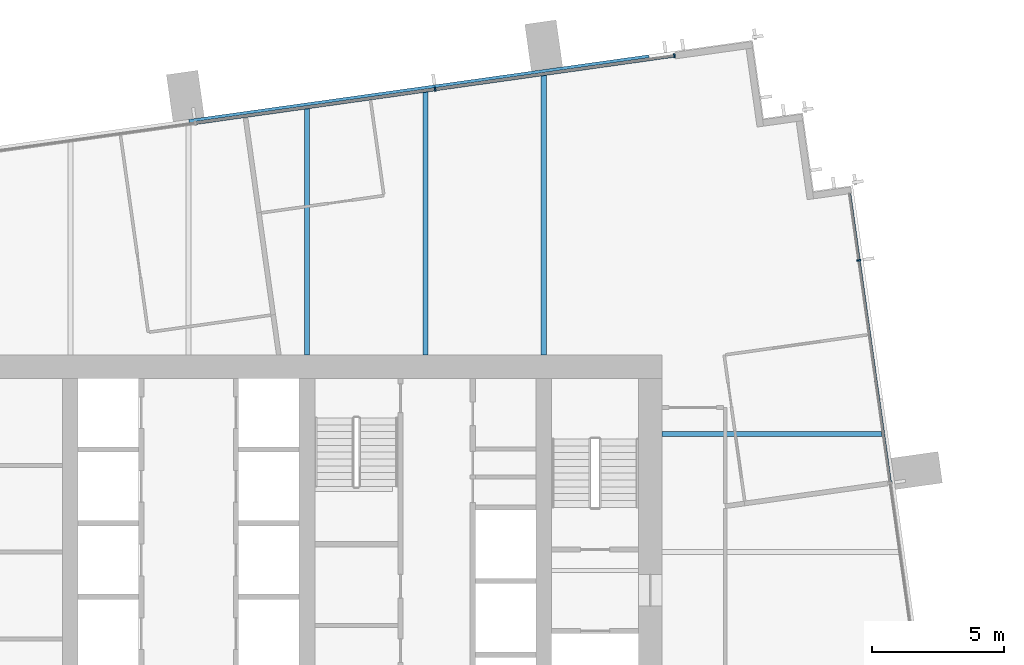
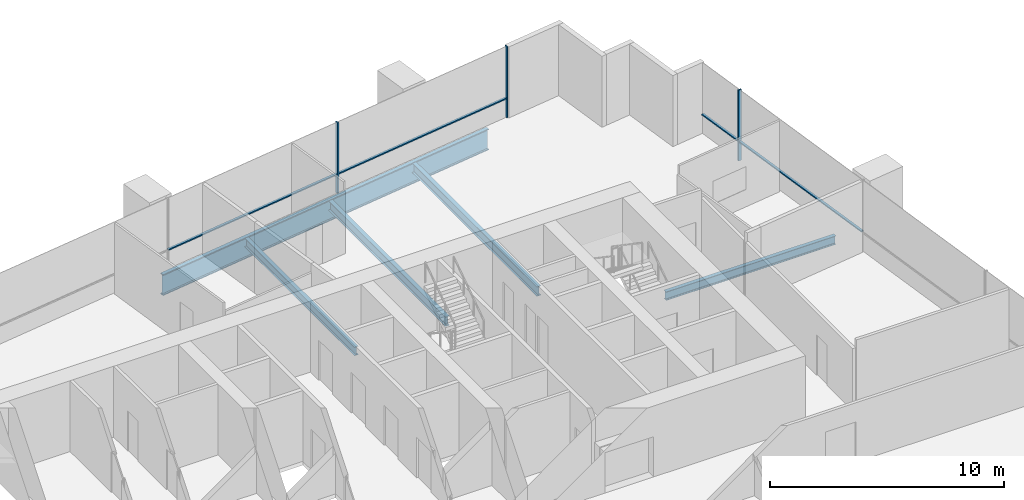
# One storey, part 7 of 14: 7 members, 5 beams, 2 elements without a shape of their own.
"""IFC4 building model written with IfcOpenShell, lengths in metres."""

from ifc_helpers import new_model, si_unit, direction, frame, origin, origin_2d, place, context, subcontext, project, spatial, rectangle, i_section, extrude, material, material_profile, profile_set, type_object, element, aggregate, save


model = new_model("IFC4")

# Units and contexts
model_context = context("Model", 3, precision=1e-05, world=origin(), true_north=direction((0.0, 1.0)))
body_context = subcontext(model_context, "Body", "Model", "MODEL_VIEW")
ifc_project = project(units=[si_unit("LENGTHUNIT", "METRE"), si_unit("AREAUNIT", "SQUARE_METRE"), si_unit("VOLUMEUNIT", "CUBIC_METRE"), si_unit("PLANEANGLEUNIT", "RADIAN"), si_unit("MASSUNIT", "GRAM", prefix="KILO")], contexts=[model_context])

# Site, building, storey
site_placement = place(None, origin())
site = spatial("IfcSite", under=ifc_project, at=site_placement, CompositionType="ELEMENT")
building_placement = place(site_placement, origin())
building = spatial("IfcBuilding", under=site, at=building_placement, Name="Rattan Terrace Tower", CompositionType="ELEMENT")
storey_placement = place(building_placement, frame((0.0, 0.0, 195.800048828125)))
storey = spatial("IfcBuildingStorey", under=building, at=storey_placement, Name="L45", CompositionType="ELEMENT", Elevation=195.800048828125)

# Curtain wall, member
ifc_material_1 = material(Name="Aluminium and glass", Category="aluminium")
curtain_wall_type = type_object("IfcCurtainWallType", Name="Facade Unitised Curtain Wall", PredefinedType="NOTDEFINED", material=ifc_material_1)
curtain_wall_1_placement = place(storey_placement, origin())
curtain_wall_1 = element("IfcCurtainWall", 1, at=curtain_wall_1_placement, inside=storey, type_object=curtain_wall_type, Name="Curtain wall L45-1", PredefinedType="NOTDEFINED")
ifc_material_2 = material(Name="Aluminium", Category="aluminium")
ifc_material_profile_1 = material_profile(ifc_material_2, rectangle(XDim=0.06005859375, YDim=0.159912109375, at=origin_2d()), Name="Aluminium 60x160")
ifc_profile_set_1 = profile_set([ifc_material_profile_1], Name="Aluminium")
member_type_1 = type_object("IfcMemberType", Name="Facade CW Mullion 60x160", PredefinedType="MULLION", material=ifc_profile_set_1)
member_1_placement = place(storey_placement, frame((25.477294921875, 11.092529296875, 0.0), z_axis=(0.0, 0.0, 1.0), x_axis=(-0.139190856006, 0.99026557327, 0.0)))
member_1 = element("IfcMember", 2, at=member_1_placement, type_object=member_type_1, Name="Mullion cwl-L45-001.4", PredefinedType="MULLION", context=body_context, shape_type="SweptSolid", body=[
    extrude(rectangle(XDim=0.06005859375, YDim=0.159912109375, at=origin_2d()), origin(), (0.0, 0.0, 1.0), 3.699951171875),
])

# Curtain wall, members
curtain_wall_2_placement = place(storey_placement, origin())
curtain_wall_2 = element("IfcCurtainWall", 3, at=curtain_wall_2_placement, inside=storey, type_object=curtain_wall_type, Name="Curtain wall L45-2", PredefinedType="NOTDEFINED")
member_2_placement = place(storey_placement, frame((18.467041015625, 18.87255859375, 0.0), z_axis=(0.0, 0.0, 1.0), x_axis=(-0.990269702686, -0.139161474347, 0.0)))
member_2 = element("IfcMember", 4, at=member_2_placement, type_object=member_type_1, Name="Mullion cwl-L45-002.1", PredefinedType="MULLION", context=body_context, shape_type="SweptSolid", body=[
    extrude(rectangle(XDim=0.06005859375, YDim=0.159912109375, at=origin_2d()), origin(), (0.0, 0.0, 1.0), 3.699951171875),
])
member_3_placement = place(storey_placement, frame((9.373291015625, 17.594482421875, 0.0), z_axis=(0.0, 0.0, 1.0), x_axis=(-0.990269702686, -0.139161474347, 0.0)))
member_3 = element("IfcMember", 5, at=member_3_placement, type_object=member_type_1, Name="Mullion cwl-L45-002.2", PredefinedType="MULLION", context=body_context, shape_type="SweptSolid", body=[
    extrude(rectangle(XDim=0.06005859375, YDim=0.159912109375, at=origin_2d()), origin(), (0.0, 0.0, 1.0), 3.699951171875),
])

# Member
ifc_material_3 = material(Name="Aluminium", Category="aluminium")
ifc_material_profile_2 = material_profile(ifc_material_3, rectangle(XDim=0.1201171875, YDim=0.06005859375, at=origin_2d()), Name="Aluminium 120x60")
ifc_profile_set_2 = profile_set([ifc_material_profile_2], Name="Aluminium")
member_type_2 = type_object("IfcMemberType", Name="Facade CW Transom 120x60", PredefinedType="USERDEFINED", material=ifc_profile_set_2)
member_4_placement = place(storey_placement, frame((26.663330078125, 2.655517578125, 1.0), z_axis=(-0.139178607515, 0.99026729483, 0.0), x_axis=(-0.99026729483, -0.139178607515, 0.0)))
member_4 = element("IfcMember", 6, at=member_4_placement, type_object=member_type_2, Name="Transom cwl-L45-001.3", ObjectType="TRANSOM", PredefinedType="USERDEFINED", context=body_context, shape_type="SweptSolid", body=[
    extrude(rectangle(XDim=0.1201171875, YDim=0.06005859375, at=origin_2d()), origin(), (0.0, 0.0, 1.0), 8.489990234375),
])

member_5_placement = place(storey_placement, frame((25.47314453125, 11.122314453125, 1.0), z_axis=(-0.139106713562, 0.990277396613, 0.0), x_axis=(-0.990277396613, -0.139106713562, 0.0)))
member_5 = element("IfcMember", 7, at=member_5_placement, type_object=member_type_2, Name="Transom cwl-L45-001.4", ObjectType="TRANSOM", PredefinedType="USERDEFINED", context=body_context, shape_type="SweptSolid", body=[
    extrude(rectangle(XDim=0.1201171875, YDim=0.06005859375, at=origin_2d()), origin(), (0.0, 0.0, 1.0), 2.525634765625),
])

aggregate(curtain_wall_1, [member_1, member_4, member_5])

member_6_placement = place(storey_placement, frame((18.437255859375, 18.868408203125, 1.0), z_axis=(-0.990266494002, -0.139184305354, 0.0), x_axis=(0.139184305354, -0.990266494002, 0.0)))
member_6 = element("IfcMember", 8, at=member_6_placement, type_object=member_type_2, Name="Transom cwl-L45-002.1", ObjectType="TRANSOM", PredefinedType="USERDEFINED", context=body_context, shape_type="SweptSolid", body=[
    extrude(rectangle(XDim=0.1201171875, YDim=0.06005859375, at=origin_2d()), origin(), (0.0, 0.0, 1.0), 9.123046875),
])

member_7_placement = place(storey_placement, frame((9.343505859375, 17.59033203125, 1.0), z_axis=(-0.990270711765, -0.139154293575, 0.0), x_axis=(0.139154293575, -0.990270711765, 0.0)))
member_7 = element("IfcMember", 9, at=member_7_placement, type_object=member_type_2, Name="Transom cwl-L45-002.2", ObjectType="TRANSOM", PredefinedType="USERDEFINED", context=body_context, shape_type="SweptSolid", body=[
    extrude(rectangle(XDim=0.1201171875, YDim=0.06005859375, at=origin_2d()), origin(), (0.0, 0.0, 1.0), 9.153076171875),
])

aggregate(curtain_wall_2, [member_2, member_3, member_6, member_7])

# Beams
ifc_material_4 = material(Name="Steel S460", Category="steel")
ifc_material_profile_3 = material_profile(ifc_material_4, i_section(OverallWidth=0.179931640625, OverallDepth=1.10009765625, WebThickness=0.01611328125, FlangeThickness=0.050048828125, at=origin_2d()), Name="PG 1100x180-16-50")
ifc_profile_set_3 = profile_set([ifc_material_profile_3], Name="Steel S460")
beam_type_1 = type_object("IfcBeamType", Name="Frame edge girder PG 1100x180-16-50", PredefinedType="SPANDREL", material=ifc_profile_set_3)
beam_1_placement = place(storey_placement, frame((17.4990234375, 18.818115234375, -0.75), z_axis=(-0.990264173921, -0.139200811234, 0.0), x_axis=(0.139200811234, -0.990264173921, 0.0)))
element("IfcBeam", 10, at=beam_1_placement, inside=storey, type_object=beam_type_1, Name="gdr-L45-007", PredefinedType="SPANDREL", context=body_context, shape_type="SweptSolid", body=[
    extrude(i_section(OverallWidth=0.179931640625, OverallDepth=1.10009765625, WebThickness=0.01611328125, FlangeThickness=0.050048828125, at=origin_2d()), origin(), (0.0, 0.0, 1.0), 17.657958984375),
])
ifc_material_5 = material(Name="Steel S355", Category="steel")
ifc_material_profile_4 = material_profile(ifc_material_5, i_section(OverallWidth=0.18994140625, OverallDepth=0.449951171875, WebThickness=0.009521484375, FlangeThickness=0.0146484375, FilletRadius=0.02099609375, at=origin_2d()), Name="IPE 450")
ifc_profile_set_4 = profile_set([ifc_material_profile_4], Name="Steel S355")
beam_type_2 = type_object("IfcBeamType", Name="Frame floor beam IPE 450", PredefinedType="JOIST", material=ifc_profile_set_4)
beam_2_placement = place(storey_placement, frame((18.0, 4.5, -0.425048828125), z_axis=(1.0, 0.0, 0.0), x_axis=(0.0, 1.0, 0.0)))
element("IfcBeam", 11, at=beam_2_placement, inside=storey, type_object=beam_type_2, Name="bm-L45-015", PredefinedType="JOIST", context=body_context, shape_type="SweptSolid", body=[
    extrude(i_section(OverallWidth=0.18994140625, OverallDepth=0.449951171875, WebThickness=0.009521484375, FlangeThickness=0.0146484375, FilletRadius=0.02099609375, at=origin_2d()), origin(), (0.0, 0.0, 1.0), 8.381103515625),
])
beam_3_placement = place(storey_placement, frame((4.5, 7.5, -0.425048828125), z_axis=(0.0, 1.0, 0.0), x_axis=(-1.0, 0.0, 0.0)))
element("IfcBeam", 12, at=beam_3_placement, inside=storey, type_object=beam_type_2, Name="bm-L45-020", PredefinedType="JOIST", context=body_context, shape_type="SweptSolid", body=[
    extrude(i_section(OverallWidth=0.18994140625, OverallDepth=0.449951171875, WebThickness=0.009521484375, FlangeThickness=0.0146484375, FilletRadius=0.02099609375, at=origin_2d()), origin(), (0.0, 0.0, 1.0), 9.385986328125),
])
ifc_material_6 = material(Name="Steel S355", Category="steel")
ifc_material_profile_5 = material_profile(ifc_material_6, i_section(OverallWidth=0.199951171875, OverallDepth=0.5, WebThickness=0.01025390625, FlangeThickness=0.01611328125, FilletRadius=0.02099609375, at=origin_2d()), Name="IPE 500")
ifc_profile_set_5 = profile_set([ifc_material_profile_5], Name="Steel S355")
beam_type_3 = type_object("IfcBeamType", Name="Frame floor beam IPE 500", PredefinedType="JOIST", material=ifc_profile_set_5)
beam_4_placement = place(storey_placement, frame((9.0, 7.5, -0.449951171875), z_axis=(0.0, 1.0, 0.0), x_axis=(-1.0, 0.0, 0.0)))
element("IfcBeam", 13, at=beam_4_placement, inside=storey, type_object=beam_type_3, Name="bm-L45-021", PredefinedType="JOIST", context=body_context, shape_type="SweptSolid", body=[
    extrude(i_section(OverallWidth=0.199951171875, OverallDepth=0.5, WebThickness=0.01025390625, FlangeThickness=0.01611328125, FilletRadius=0.02099609375, at=origin_2d()), origin(), (0.0, 0.0, 1.0), 10.01806640625),
])
beam_5_placement = place(storey_placement, frame((13.5, 7.5, -0.449951171875), z_axis=(0.0, 1.0, 0.0), x_axis=(-1.0, 0.0, 0.0)))
element("IfcBeam", 14, at=beam_5_placement, inside=storey, type_object=beam_type_3, Name="bm-L45-022", PredefinedType="JOIST", context=body_context, shape_type="SweptSolid", body=[
    extrude(i_section(OverallWidth=0.199951171875, OverallDepth=0.5, WebThickness=0.01025390625, FlangeThickness=0.01611328125, FilletRadius=0.02099609375, at=origin_2d()), origin(), (0.0, 0.0, 1.0), 10.65087890625),
])

save(model, "model.ifc")
